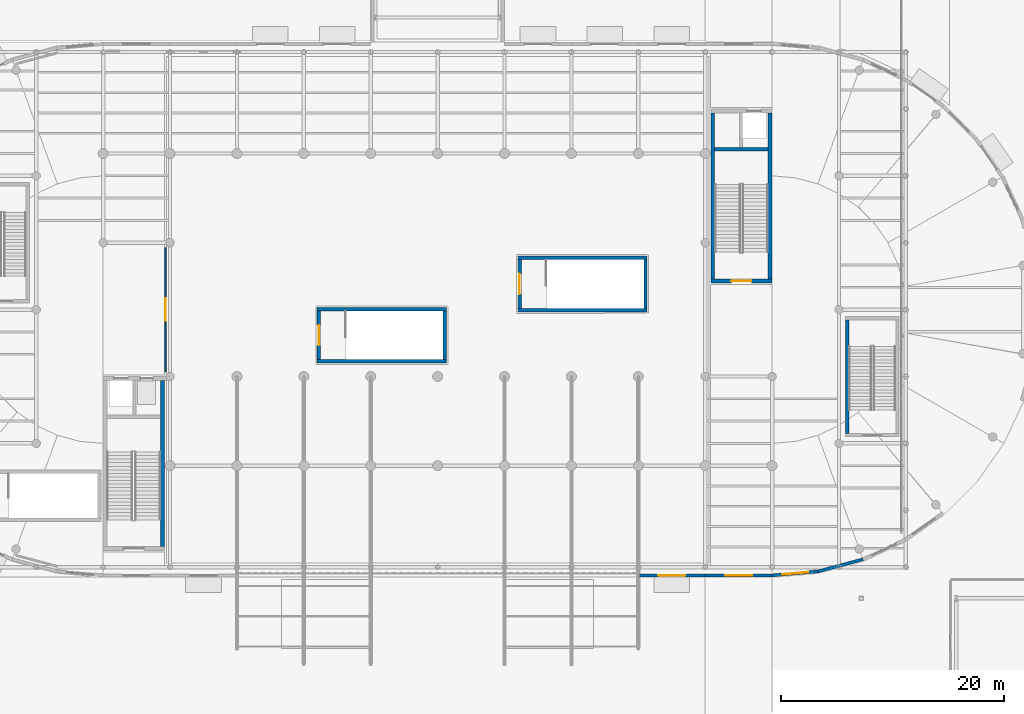
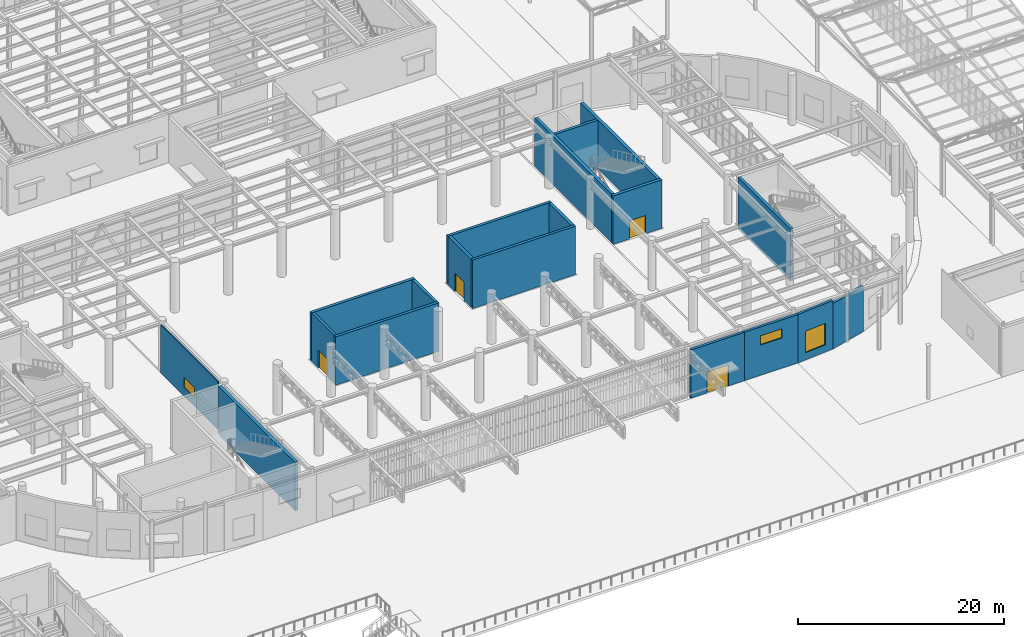
# One storey, part 90 of 118: 19 walls, 4 doors, 3 windows, 7 openings.
"""IFC4 building model written with IfcOpenShell, lengths in metres."""

from ifc_helpers import new_model, si_unit, direction, frame, frame_2d, origin, place, context, subcontext, project, spatial, rectangle, extrude, material, layer, layer_set, type_object, element, fill, save


model = new_model("IFC4")

# Units and contexts
model_context = context("Model", 3, precision=1e-05, world=origin(), true_north=direction((0.0, 1.0)))
body_context = subcontext(model_context, "Body", "Model", "MODEL_VIEW")
ifc_project = project(units=[si_unit("LENGTHUNIT", "METRE"), si_unit("AREAUNIT", "SQUARE_METRE"), si_unit("VOLUMEUNIT", "CUBIC_METRE"), si_unit("PLANEANGLEUNIT", "RADIAN"), si_unit("MASSUNIT", "GRAM", prefix="KILO")], contexts=[model_context])

# Site, building, storey
site_placement = place(None, origin())
site = spatial("IfcSite", under=ifc_project, at=site_placement, CompositionType="ELEMENT")
building_placement = place(site_placement, origin())
building = spatial("IfcBuilding", under=site, at=building_placement, Name="Kolvaren Corner Interchange", CompositionType="ELEMENT")
storey_placement = place(building_placement, origin())
storey = spatial("IfcBuildingStorey", under=building, at=storey_placement, Name="L01", CompositionType="ELEMENT", Elevation=0.0)

# Wall
ifc_material_1 = material(Name="Concrete C35/45", Category="concrete")
ifc_layer_1 = layer(ifc_material_1, 0.35009765625)
ifc_layer_set_1 = layer_set([ifc_layer_1], Name="Concrete C35/45")
wall_type_1 = type_object("IfcWallType", Name="WL-CORE-350", PredefinedType="SHEAR", material=ifc_layer_set_1)
wall_1_placement = place(storey_placement, frame((65.324951171875, 26.75, 0.0), z_axis=(0.0, 0.0, 1.0), x_axis=(0.0, 1.0, 0.0)))
element("IfcWall", 1, at=wall_1_placement, inside=storey, type_object=wall_type_1, Name="Core C3 L01 East Shear Wall", PredefinedType="SHEAR", context=body_context, shape_type="SweptSolid", body=[
    extrude(rectangle(XDim=14.89990234375, YDim=0.35009765625, at=frame_2d((7.449951171875, 0.0))), origin(), (0.0, 0.0, 1.0), 5.75),
])

# Wall, opening, door
wall_2_placement = place(storey_placement, frame((114.5, 50.574951171875, 0.0), z_axis=(0.0, 0.0, 1.0), x_axis=(1.0, 0.0, 0.0)))
wall_2 = element("IfcWall", 2, at=wall_2_placement, inside=storey, type_object=wall_type_1, Name="Core C4 L01 South Shear Wall", PredefinedType="SHEAR", context=body_context, shape_type="SweptSolid", body=[
    extrude(rectangle(XDim=5.5, YDim=0.35009765625, at=frame_2d((2.75, 0.0))), origin(), (0.0, 0.0, 1.0), 5.75),
])
opening_1_placement = place(wall_2_placement, frame((1.85009765625, 0.0, 0.0)))
opening_1 = element("IfcOpeningElement", 3, at=opening_1_placement, cuts=wall_2, Name="Opening D-F01", PredefinedType="OPENING", context=body_context, shape_type="SweptSolid", body=[
    extrude(rectangle(XDim=1.800048828125, YDim=2.14990234375, at=frame_2d((0.89990234375, 1.074951171875))), frame((0.0, 0.18505859375, 0.0), z_axis=(0.0, -1.0, 0.0), x_axis=(1.0, 0.0, 0.0)), (0.0, 0.0, 1.0), 0.3701171875),
])
ifc_material_2 = material(Name="Powder-coated Fire-rated Steel Sheet", Category="steel")
door_type_1 = type_object("IfcDoorType", Name="DT-FD-1800x2150", OperationType="NOTDEFINED", PredefinedType="DOOR", material=ifc_material_2)
door_1_placement = place(opening_1_placement, origin())
door_1 = element("IfcDoor", 4, at=door_1_placement, inside=storey, type_object=door_type_1, Name="Core C4 East Concourse Transfer Stair L01 Protected Exit Door", OperationType="DOUBLE_DOOR_SINGLE_SWING", OverallHeight=2.14990234375, OverallWidth=1.800048828125, PredefinedType="DOOR", context=body_context, shape_type="SweptSolid", body=[
    extrude(rectangle(XDim=1.800048828125, YDim=2.14990234375, at=frame_2d((0.89990234375, 1.074951171875))), frame((0.0, 0.02490234375, 0.0), z_axis=(0.0, -1.0, 0.0), x_axis=(1.0, 0.0, 0.0)), (0.0, 0.0, 1.0), 0.050048828125),
])
fill(opening_1, door_1)

# Walls
for number, where, z_axis, x_axis, name in (
    (5, (114.675048828125, 50.75, 0.0), (0.0, 0.0, 1.0), (0.0, 1.0, 0.0), "Core C4 L01 West Shear Wall"),
    (6, (119.824951171875, 50.75, 0.0), (0.0, 0.0, 1.0), (0.0, 1.0, 0.0), "Core C4 L01 East Shear Wall"),
):
    element("IfcWall", number, at=place(storey_placement, frame(where, z_axis=z_axis, x_axis=x_axis)), inside=storey, type_object=wall_type_1, Name=name, PredefinedType="SHEAR", context=body_context, shape_type="SweptSolid", body=[
        extrude(rectangle(XDim=14.89990234375, YDim=0.35009765625, at=frame_2d((7.449951171875, 0.0))), origin(), (0.0, 0.0, 1.0), 5.75),
    ])
ifc_material_3 = material(Name="Concrete C35/45", Category="concrete")
ifc_layer_2 = layer(ifc_material_3, 0.31005859375)
ifc_layer_set_2 = layer_set([ifc_layer_2], Name="Concrete C35/45")
wall_type_2 = type_object("IfcWallType", Name="WL-STAIR-300", PredefinedType="SHEAR", material=ifc_layer_set_2)
wall_3_placement = place(storey_placement, frame((114.85009765625, 62.39990234375, 0.0), z_axis=(0.0, 0.0, 1.0), x_axis=(1.0, 0.0, 0.0)))
element("IfcWall", 7, at=wall_3_placement, inside=storey, type_object=wall_type_2, Name="Core C4 L01 Lift and Stairwell Divider Wall", PredefinedType="SHEAR", context=body_context, shape_type="SweptSolid", body=[
    extrude(rectangle(XDim=4.7998046875, YDim=0.31005859375, at=frame_2d((2.39990234375, 0.0))), origin(), (0.0, 0.0, 1.0), 5.75),
])
for number, where, z_axis, x_axis, name in (
    (8, (79.199951171875, 43.35498046875, 0.0), (0.0, 0.0, 1.0), (1.0, 0.0, 0.0), "Metro Island Platform West Transfer Stair L01 South Enclosure Wall"),
    (9, (79.199951171875, 48.044921875, 0.0), (0.0, 0.0, 1.0), (1.0, 0.0, 0.0), "Metro Island Platform West Transfer Stair L01 North Enclosure Wall"),
):
    element("IfcWall", number, at=place(storey_placement, frame(where, z_axis=z_axis, x_axis=x_axis)), inside=storey, type_object=wall_type_2, Name=name, PredefinedType="SHEAR", context=body_context, shape_type="SweptSolid", body=[
        extrude(rectangle(XDim=11.60009765625, YDim=0.31005859375, at=frame_2d((5.800048828125, 0.0))), origin(), (0.0, 0.0, 1.0), 5.75),
    ])

# Wall, opening, door
wall_4_placement = place(storey_placement, frame((79.35498046875, 43.510009765625, 0.0), z_axis=(0.0, 0.0, 1.0), x_axis=(0.0, 1.0, 0.0)))
wall_4 = element("IfcWall", 10, at=wall_4_placement, inside=storey, type_object=wall_type_2, Name="Metro Island Platform West Transfer Stair L01 West Enclosure Wall", PredefinedType="SHEAR", context=body_context, shape_type="SweptSolid", body=[
    extrude(rectangle(XDim=4.3798828125, YDim=0.31005859375, at=frame_2d((2.18994140625, 0.0))), origin(), (0.0, 0.0, 1.0), 5.75),
])
opening_2_placement = place(wall_4_placement, frame((1.2900390625, 0.0, 0.0)))
opening_2 = element("IfcOpeningElement", 11, at=opening_2_placement, cuts=wall_4, Name="Opening D-F01", PredefinedType="OPENING", context=body_context, shape_type="SweptSolid", body=[
    extrude(rectangle(XDim=1.800048828125, YDim=2.14990234375, at=frame_2d((0.89990234375, 1.074951171875))), frame((0.0, 0.1650390625, 0.0), z_axis=(0.0, -1.0, 0.0), x_axis=(1.0, 0.0, 0.0)), (0.0, 0.0, 1.0), 0.330078125),
])
door_2_placement = place(opening_2_placement, origin())
door_2 = element("IfcDoor", 12, at=door_2_placement, inside=storey, type_object=door_type_1, Name="Metro Island Platform West Transfer Stair L01 Protected Exit Door", OperationType="DOUBLE_DOOR_SINGLE_SWING", OverallHeight=2.14990234375, OverallWidth=1.800048828125, PredefinedType="DOOR", context=body_context, shape_type="SweptSolid", body=[
    extrude(rectangle(XDim=1.800048828125, YDim=2.14990234375, at=frame_2d((0.89990234375, 1.074951171875))), frame((0.0, 0.02490234375, 0.0), z_axis=(0.0, -1.0, 0.0), x_axis=(1.0, 0.0, 0.0)), (0.0, 0.0, 1.0), 0.050048828125),
])
fill(opening_2, door_2)

# Walls
wall_5_placement = place(storey_placement, frame((90.64501953125, 43.510009765625, 0.0), z_axis=(0.0, 0.0, 1.0), x_axis=(0.0, 1.0, 0.0)))
element("IfcWall", 13, at=wall_5_placement, inside=storey, type_object=wall_type_2, Name="Metro Island Platform West Transfer Stair L01 East Enclosure Wall", PredefinedType="SHEAR", context=body_context, shape_type="SweptSolid", body=[
    extrude(rectangle(XDim=4.3798828125, YDim=0.31005859375, at=frame_2d((2.18994140625, 0.0))), origin(), (0.0, 0.0, 1.0), 5.75),
])
for number, where, z_axis, x_axis, name in (
    (14, (97.199951171875, 47.955078125, 0.0), (0.0, 0.0, 1.0), (1.0, 0.0, 0.0), "Metro Island Platform East Transfer Stair L01 South Enclosure Wall"),
    (15, (97.199951171875, 52.64501953125, 0.0), (0.0, 0.0, 1.0), (1.0, 0.0, 0.0), "Metro Island Platform East Transfer Stair L01 North Enclosure Wall"),
):
    element("IfcWall", number, at=place(storey_placement, frame(where, z_axis=z_axis, x_axis=x_axis)), inside=storey, type_object=wall_type_2, Name=name, PredefinedType="SHEAR", context=body_context, shape_type="SweptSolid", body=[
        extrude(rectangle(XDim=11.60009765625, YDim=0.31005859375, at=frame_2d((5.800048828125, 0.0))), origin(), (0.0, 0.0, 1.0), 5.75),
    ])

# Wall, opening, door
wall_6_placement = place(storey_placement, frame((97.35498046875, 48.110107421875, 0.0), z_axis=(0.0, 0.0, 1.0), x_axis=(0.0, 1.0, 0.0)))
wall_6 = element("IfcWall", 16, at=wall_6_placement, inside=storey, type_object=wall_type_2, Name="Metro Island Platform East Transfer Stair L01 West Enclosure Wall", PredefinedType="SHEAR", context=body_context, shape_type="SweptSolid", body=[
    extrude(rectangle(XDim=4.3798828125, YDim=0.31005859375, at=frame_2d((2.18994140625, 0.0))), origin(), (0.0, 0.0, 1.0), 5.75),
])
opening_3_placement = place(wall_6_placement, frame((1.2900390625, 0.0, 0.0)))
opening_3 = element("IfcOpeningElement", 17, at=opening_3_placement, cuts=wall_6, Name="Opening D-F01", PredefinedType="OPENING", context=body_context, shape_type="SweptSolid", body=[
    extrude(rectangle(XDim=1.800048828125, YDim=2.14990234375, at=frame_2d((0.89990234375, 1.074951171875))), frame((0.0, 0.1650390625, 0.0), z_axis=(0.0, -1.0, 0.0), x_axis=(1.0, 0.0, 0.0)), (0.0, 0.0, 1.0), 0.330078125),
])
door_3_placement = place(opening_3_placement, origin())
door_3 = element("IfcDoor", 18, at=door_3_placement, inside=storey, type_object=door_type_1, Name="Metro Island Platform East Transfer Stair L01 Protected Exit Door", OperationType="DOUBLE_DOOR_SINGLE_SWING", OverallHeight=2.14990234375, OverallWidth=1.800048828125, PredefinedType="DOOR", context=body_context, shape_type="SweptSolid", body=[
    extrude(rectangle(XDim=1.800048828125, YDim=2.14990234375, at=frame_2d((0.89990234375, 1.074951171875))), frame((0.0, 0.02490234375, 0.0), z_axis=(0.0, -1.0, 0.0), x_axis=(1.0, 0.0, 0.0)), (0.0, 0.0, 1.0), 0.050048828125),
])
fill(opening_3, door_3)

# Walls
wall_7_placement = place(storey_placement, frame((108.64501953125, 48.110107421875, 0.0), z_axis=(0.0, 0.0, 1.0), x_axis=(0.0, 1.0, 0.0)))
element("IfcWall", 19, at=wall_7_placement, inside=storey, type_object=wall_type_2, Name="Metro Island Platform East Transfer Stair L01 East Enclosure Wall", PredefinedType="SHEAR", context=body_context, shape_type="SweptSolid", body=[
    extrude(rectangle(XDim=4.3798828125, YDim=0.31005859375, at=frame_2d((2.18994140625, 0.0))), origin(), (0.0, 0.0, 1.0), 5.75),
])
wall_8_placement = place(storey_placement, frame((126.7548828125, 36.909912109375, -0.39990234375), z_axis=(0.0, 0.0, 1.0), x_axis=(0.0, 1.0, 0.0)))
element("IfcWall", 20, at=wall_8_placement, inside=storey, type_object=wall_type_2, Name="East Racetrack Concourse Gallery Stair L01 West Enclosure Wall", PredefinedType="SHEAR", context=body_context, shape_type="SweptSolid", body=[
    extrude(rectangle(XDim=10.18017578125, YDim=0.31005859375, at=frame_2d((5.090087890625, 0.0))), origin(), (0.0, 0.0, 1.0), 6.14990234375),
])

# Wall, opening, window
ifc_material_4 = material(Name="White Glazed Ceramic Terracotta Band Assembly", Category="masonry")
ifc_layer_3 = layer(ifc_material_4, 0.280029296875)
ifc_layer_set_3 = layer_set([ifc_layer_3], Name="White Glazed Ceramic Terracotta Band Assembly")
wall_type_3 = type_object("IfcWallType", Name="WT-EXT-WHT280", PredefinedType="SOLIDWALL", material=ifc_layer_set_3)
wall_9_placement = place(storey_placement, frame((120.0, 24.159912109375, 0.0), z_axis=(0.0, 0.0, 1.0), x_axis=(0.99619237826, 0.087182254487, 0.0)))
wall_9 = element("IfcWall", 21, at=wall_9_placement, inside=storey, type_object=wall_type_3, Name="Racetrack East Curved Drum Chord 01 Wall 0101", PredefinedType="SOLIDWALL", context=body_context, shape_type="SweptSolid", body=[
    extrude(rectangle(XDim=4.15576171875, YDim=0.280029296875, at=frame_2d((2.077880859375, 0.0))), origin(), (0.0, 0.0, 1.0), 5.75),
])
opening_4_placement = place(wall_9_placement, frame((0.90283203125, 0.0, 0.85009765625)))
opening_4 = element("IfcOpeningElement", 22, at=opening_4_placement, cuts=wall_9, Name="Opening W-15", PredefinedType="OPENING", context=body_context, shape_type="SweptSolid", body=[
    extrude(rectangle(XDim=2.35009765625, YDim=2.550048828125, at=frame_2d((1.175048828125, 1.27490234375))), frame((0.0, 0.14990234375, 0.0), z_axis=(0.0, -1.0, 0.0), x_axis=(1.0, 0.0, 0.0)), (0.0, 0.0, 1.0), 0.300048828125),
])
ifc_material_5 = material(Name="Thermally Broken Aluminium and Solar-Control Double Glazing", Category="aluminium")
window_type_1 = type_object("IfcWindowType", Name="WT-ARC-2350x2550", PartitioningType="TRIPLE_PANEL_HORIZONTAL", PredefinedType="WINDOW", material=ifc_material_5)
window_1_placement = place(opening_4_placement, origin())
window_1 = element("IfcWindow", 23, at=window_1_placement, inside=storey, type_object=window_type_1, Name="L01 Racetrack East Curved Drum Chord 01 Window 0175", OverallHeight=2.550048828125, OverallWidth=2.35009765625, PartitioningType="SINGLE_PANEL", PredefinedType="WINDOW", context=body_context, shape_type="SweptSolid", body=[
    extrude(rectangle(XDim=2.35009765625, YDim=2.550048828125, at=frame_2d((1.175048828125, 1.27490234375))), frame((0.0, 0.030029296875, 0.0), z_axis=(0.0, -1.0, 0.0), x_axis=(1.0, 0.0, 0.0)), (0.0, 0.0, 1.0), 0.06005859375),
])
fill(opening_4, window_1)

# Wall
wall_10_placement = place(storey_placement, frame((124.139892578125, 24.522216796875, 0.0), z_axis=(0.0, 0.0, 1.0), x_axis=(0.965931006096, 0.258799713026, 0.0)))
element("IfcWall", 24, at=wall_10_placement, inside=storey, type_object=wall_type_3, Name="Racetrack East Curved Drum Chord 02 Wall 0102", PredefinedType="SOLIDWALL", context=body_context, shape_type="SweptSolid", body=[
    extrude(rectangle(XDim=4.155517578125, YDim=0.280029296875, at=frame_2d((2.07763671875, 0.0))), origin(), (0.0, 0.0, 1.0), 5.385009765625),
])

# Wall, opening, door
wall_11_placement = place(storey_placement, frame((108.0, 24.159912109375, 0.0), z_axis=(0.0, 0.0, 1.0), x_axis=(1.0, 0.0, 0.0)))
wall_11 = element("IfcWall", 25, at=wall_11_placement, inside=storey, type_object=wall_type_3, Name="South Portal Flank East Wall 0153", PredefinedType="SOLIDWALL", context=body_context, shape_type="SweptSolid", body=[
    extrude(rectangle(XDim=6.0, YDim=0.280029296875, at=frame_2d((3.0, 0.0))), origin(), (0.0, 0.0, 1.0), 5.75),
])
opening_5_placement = place(wall_11_placement, frame((1.800048828125, 0.0, 0.0)))
opening_5 = element("IfcOpeningElement", 26, at=opening_5_placement, cuts=wall_11, Name="Opening D-E01", PredefinedType="OPENING", context=body_context, shape_type="SweptSolid", body=[
    extrude(rectangle(XDim=2.39990234375, YDim=2.5, at=frame_2d((1.199951171875, 1.25))), frame((0.0, 0.14990234375, 0.0), z_axis=(0.0, -1.0, 0.0), x_axis=(1.0, 0.0, 0.0)), (0.0, 0.0, 1.0), 0.300048828125),
])
ifc_material_6 = material(Name="Anodised Aluminium and Laminated Safety Glass", Category="aluminium")
door_type_2 = type_object("IfcDoorType", Name="DT-EXT-DBL2400", OperationType="NOTDEFINED", PredefinedType="DOOR", material=ifc_material_6)
door_4_placement = place(opening_5_placement, origin())
door_4 = element("IfcDoor", 27, at=door_4_placement, inside=storey, type_object=door_type_2, Name="L01 South Portal Flank East Grand Exit Door 019", OperationType="DOUBLE_DOOR_SINGLE_SWING", OverallHeight=2.5, OverallWidth=2.39990234375, PredefinedType="DOOR", context=body_context, shape_type="SweptSolid", body=[
    extrude(rectangle(XDim=2.39990234375, YDim=2.5, at=frame_2d((1.199951171875, 1.25))), frame((0.0, 0.02490234375, 0.0), z_axis=(0.0, -1.0, 0.0), x_axis=(1.0, 0.0, 0.0)), (0.0, 0.0, 1.0), 0.050048828125),
])
fill(opening_5, door_4)

# Wall, opening, window
wall_12_placement = place(storey_placement, frame((114.0, 24.159912109375, 0.0), z_axis=(0.0, 0.0, 1.0), x_axis=(1.0, 0.0, 0.0)))
wall_12 = element("IfcWall", 28, at=wall_12_placement, inside=storey, type_object=wall_type_3, Name="South East Concourse Wall 0155", PredefinedType="SOLIDWALL", context=body_context, shape_type="SweptSolid", body=[
    extrude(rectangle(XDim=6.0, YDim=0.280029296875, at=frame_2d((3.0, 0.0))), origin(), (0.0, 0.0, 1.0), 5.75),
])
opening_6_placement = place(wall_12_placement, frame((1.800048828125, 0.0, 3.60009765625)))
opening_6 = element("IfcOpeningElement", 29, at=opening_6_placement, cuts=wall_12, Name="Opening W-17", PredefinedType="OPENING", context=body_context, shape_type="SweptSolid", body=[
    extrude(rectangle(XDim=2.39990234375, YDim=1.10009765625, at=frame_2d((1.199951171875, 0.550048828125))), frame((0.0, 0.14990234375, 0.0), z_axis=(0.0, -1.0, 0.0), x_axis=(1.0, 0.0, 0.0)), (0.0, 0.0, 1.0), 0.300048828125),
])
ifc_material_7 = material(Name="Thermally Broken Aluminium and Solar-Control Double Glazing", Category="aluminium")
window_type_2 = type_object("IfcWindowType", Name="WT-CLER-2400x1100", PartitioningType="DOUBLE_PANEL_HORIZONTAL", PredefinedType="WINDOW", material=ifc_material_7)
window_2_placement = place(opening_6_placement, origin())
window_2 = element("IfcWindow", 30, at=window_2_placement, inside=storey, type_object=window_type_2, Name="L01 South East Concourse Window 0216", OverallHeight=1.10009765625, OverallWidth=2.39990234375, PartitioningType="SINGLE_PANEL", PredefinedType="WINDOW", context=body_context, shape_type="SweptSolid", body=[
    extrude(rectangle(XDim=2.39990234375, YDim=1.10009765625, at=frame_2d((1.199951171875, 0.550048828125))), frame((0.0, 0.030029296875, 0.0), z_axis=(0.0, -1.0, 0.0), x_axis=(1.0, 0.0, 0.0)), (0.0, 0.0, 1.0), 0.06005859375),
])
fill(opening_6, window_2)

ifc_material_8 = material(Name="Standard Metal-Stud Drywall Partition")
ifc_layer_4 = layer(ifc_material_8, 0.1201171875)
ifc_layer_set_4 = layer_set([ifc_layer_4], Name="Standard Metal-Stud Drywall Partition")
wall_type_4 = type_object("IfcWallType", Name="WT-PART-ST125", PredefinedType="PARTITIONING", material=ifc_layer_set_4)
wall_13_placement = place(storey_placement, frame((65.60009765625, 42.43505859375, 0.0), z_axis=(0.0, 0.0, 1.0), x_axis=(0.0, 1.0, 0.0)))
wall_13 = element("IfcWall", 31, at=wall_13_placement, inside=storey, type_object=wall_type_4, Name="L01 Ticket Hall and Metro Gateline Partition Wall 035", PredefinedType="PARTITIONING", context=body_context, shape_type="SweptSolid", body=[
    extrude(rectangle(XDim=11.1298828125, YDim=0.1201171875, at=frame_2d((5.56494140625, 0.0))), origin(), (0.0, 0.0, 1.0), 5.719970703125),
])
opening_7_placement = place(wall_13_placement, frame((4.56494140625, 0.0, 1.050048828125)))
opening_7 = element("IfcOpeningElement", 32, at=opening_7_placement, cuts=wall_13, Name="Opening W-I01", PredefinedType="OPENING", context=body_context, shape_type="SweptSolid", body=[
    extrude(rectangle(XDim=2.0, YDim=1.199951171875, at=frame_2d((1.0, 0.60009765625))), frame((0.0, 0.070068359375, 0.0), z_axis=(0.0, -1.0, 0.0), x_axis=(1.0, 0.0, 0.0)), (0.0, 0.0, 1.0), 0.14013671875),
])
ifc_material_9 = material(Name="Acoustic Laminated Interior Vision Glazing", Category="glass")
window_type_3 = type_object("IfcWindowType", Name="WT-INT-2000x1200", PartitioningType="DOUBLE_PANEL_HORIZONTAL", PredefinedType="WINDOW", material=ifc_material_9)
window_3_placement = place(opening_7_placement, origin())
window_3 = element("IfcWindow", 33, at=window_3_placement, inside=storey, type_object=window_type_3, Name="L01 Interior Vision Glazing 13", OverallHeight=1.199951171875, OverallWidth=2.0, PartitioningType="SINGLE_PANEL", PredefinedType="WINDOW", context=body_context, shape_type="SweptSolid", body=[
    extrude(rectangle(XDim=2.0, YDim=1.199951171875, at=frame_2d((1.0, 0.60009765625))), frame((0.0, 0.030029296875, 0.0), z_axis=(0.0, -1.0, 0.0), x_axis=(1.0, 0.0, 0.0)), (0.0, 0.0, 1.0), 0.06005859375),
])
fill(opening_7, window_3)

save(model, "model.ifc")
